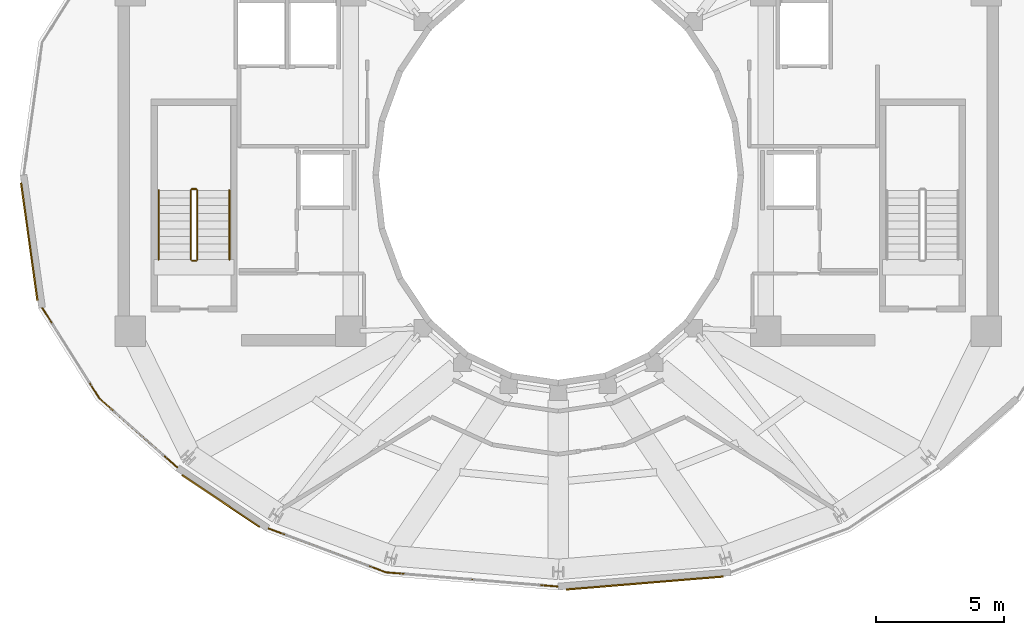
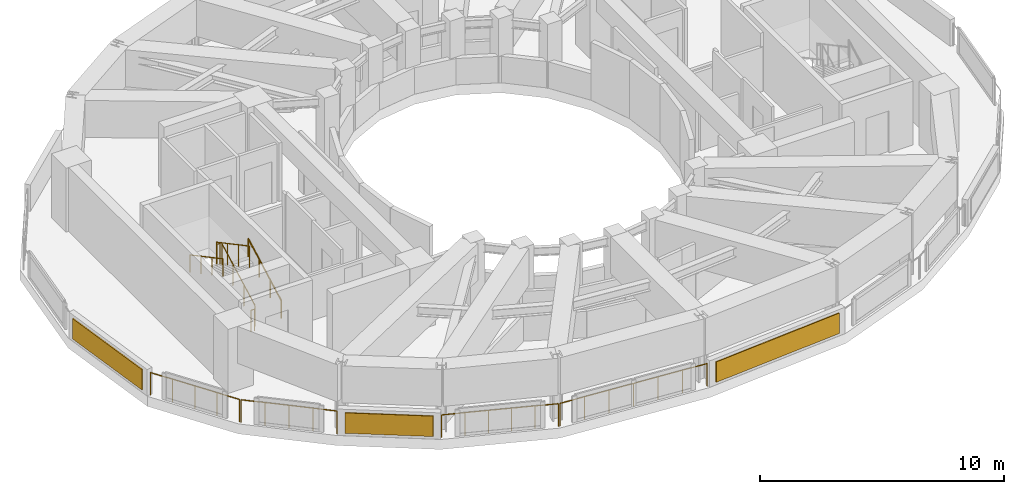
# One storey, part 19 of 21: 10 railings, 3 shading devices.
"""IFC4 building model written with IfcOpenShell, lengths in metres."""

import ifcopenshell
import ifcopenshell.guid

model = None  # the IFC model being written
_history = None  # IfcOwnerHistory: only IFC2X3 demands one
_inside = {}  # id of a spatial element -> (the spatial element, [elements in it])
_under = {}  # id of a project, library or spatial element -> (it, [spatial elements below it])
_declared = {}  # id of a project -> (the project, [libraries it declares])
_typed = {}  # id of a type object -> (the type object, [elements of that type])
_made_of = {}  # id of a material, layer set ... -> (it, [elements and type objects made of it])


def new_model(schema):
    """Start an empty IFC model of exactly this schema.

    Asked for "IFC4X3", IfcOpenShell would pick the latest addendum, in which some entities
    have other attributes; the version numbers below select the first issue.
    IFC2X3 requires an IfcOwnerHistory on every rooted entity: one is made here for all.
    """
    global model, _history
    if schema == "IFC4X3":
        model = ifcopenshell.file(schema_version=(4, 3, 0, 0))
    else:
        model = ifcopenshell.file(schema=schema)
    _inside.clear()
    _under.clear()
    _declared.clear()
    _typed.clear()
    _made_of.clear()
    _history = None
    if model.schema == "IFC2X3":
        org = make("IfcOrganization", Name="unknown")
        user = make(
            "IfcPersonAndOrganization",
            ThePerson=make("IfcPerson", FamilyName="unknown"),
            TheOrganization=org,
        )
        app = make(
            "IfcApplication",
            ApplicationDeveloper=org,
            Version="unknown",
            ApplicationFullName="unknown",
            ApplicationIdentifier="unknown",
        )
        _history = make(
            "IfcOwnerHistory",
            OwningUser=user,
            OwningApplication=app,
            ChangeAction="ADDED",
            CreationDate=0,
        )
    return model


def make(cls, **values):
    """One entity of the class cls with the attributes given. An attribute that is None is left unset."""
    return model.create_entity(
        cls, **{name: value for name, value in values.items() if value is not None}
    )


def rooted(cls, **values):
    """An entity with a GlobalId (a new one), such as an element, a storey or a relation."""
    return make(cls, GlobalId=ifcopenshell.guid.new(), OwnerHistory=_history, **values)


def si_unit(unit_type, name, prefix=None):
    """IfcSIUnit, for example si_unit("LENGTHUNIT", "METRE", prefix="MILLI")."""
    return make("IfcSIUnit", UnitType=unit_type, Prefix=prefix, Name=name)


def assignment(units):
    """IfcUnitAssignment: the units of a project."""
    return None if units is None else make("IfcUnitAssignment", Units=units)


def point(xyz):
    """IfcCartesianPoint."""
    return None if xyz is None else make("IfcCartesianPoint", Coordinates=xyz)


def direction(xyz):
    """IfcDirection."""
    return None if xyz is None else make("IfcDirection", DirectionRatios=xyz)


def frame(location, z_axis=None, x_axis=None):
    """IfcAxis2Placement3D, a coordinate frame: its origin and axes. An axis left out is left unset."""
    return make(
        "IfcAxis2Placement3D",
        Location=point(location),
        Axis=direction(z_axis),
        RefDirection=direction(x_axis),
    )


def frame_2d(location, x_axis=None):
    """IfcAxis2Placement2D, a coordinate frame in the plane: its origin and x axis."""
    return make(
        "IfcAxis2Placement2D", Location=point(location), RefDirection=direction(x_axis)
    )


def origin():
    """The frame at (0, 0, 0) with its axes left unset."""
    return frame((0.0, 0.0, 0.0))


def origin_2d():
    """The frame at (0, 0) in the plane with its x axis left unset."""
    return frame_2d((0.0, 0.0))


def place(relative_to, where):
    """IfcLocalPlacement: puts the frame where relative to a parent placement (None: the world)."""
    return make(
        "IfcLocalPlacement", PlacementRelTo=relative_to, RelativePlacement=where
    )


def context(
    kind, dimensions, precision=None, world=None, true_north=None, identifier=None
):
    """IfcGeometricRepresentationContext, for example the 3D "Model" context."""
    return make(
        "IfcGeometricRepresentationContext",
        ContextIdentifier=identifier,
        ContextType=kind,
        CoordinateSpaceDimension=dimensions,
        Precision=precision,
        WorldCoordinateSystem=world,
        TrueNorth=true_north,
    )


def subcontext(parent, identifier, kind, view, scale=None):
    """IfcGeometricRepresentationSubContext, for example "Body" below "Model"."""
    return make(
        "IfcGeometricRepresentationSubContext",
        ContextIdentifier=identifier,
        ContextType=kind,
        ParentContext=parent,
        TargetScale=scale,
        TargetView=view,
    )


def project(units=None, contexts=None):
    """IfcProject with its units and contexts."""
    return rooted(
        "IfcProject",
        Name="project",
        RepresentationContexts=contexts,
        UnitsInContext=assignment(units),
    )


def spatial(cls, under=None, at=None, **own):
    """A site, building, storey or space (cls), placed at a placement, below another one or the project."""
    s = rooted(cls, ObjectPlacement=at, **own)
    if under is not None:
        _under.setdefault(under.id(), (under, []))[1].append(s)
    return s


def profile(cls, at=None, kind="AREA", **sizes):
    """A parametric profile (cls). Its sizes go by their IFC names, for example OverallWidth=200.0."""
    return make(cls, ProfileType=kind, Position=at, **sizes)


def rectangle(**sizes):
    """IfcRectangleProfileDef."""
    return profile("IfcRectangleProfileDef", **sizes)


def circle(**sizes):
    """IfcCircleProfileDef."""
    return profile("IfcCircleProfileDef", **sizes)


def extrude(swept, where, along, depth):
    """IfcExtrudedAreaSolid: the profile swept, set in the frame where, extruded along a direction by depth."""
    return make(
        "IfcExtrudedAreaSolid",
        SweptArea=swept,
        Position=where,
        ExtrudedDirection=direction(along),
        Depth=depth,
    )


def shape(context_of_items, identifier, shape_type, items):
    """IfcShapeRepresentation: the items that make up one representation, for example the "Body"."""
    return make(
        "IfcShapeRepresentation",
        ContextOfItems=context_of_items,
        RepresentationIdentifier=identifier,
        RepresentationType=shape_type,
        Items=items,
    )


def material(Name=None, Category=None):
    """IfcMaterial."""
    return make("IfcMaterial", Name=Name, Category=Category)


def layer(
    of_material, thickness, ventilated=None, Name=None, Category=None, Priority=None
):
    """IfcMaterialLayer: one layer of a wall or slab, of a material (None: an air gap)."""
    return make(
        "IfcMaterialLayer",
        Material=of_material,
        LayerThickness=thickness,
        IsVentilated=ventilated,
        Name=Name,
        Category=Category,
        Priority=Priority,
    )


def layer_set(layers, Name=None):
    """IfcMaterialLayerSet."""
    return make("IfcMaterialLayerSet", MaterialLayers=layers, LayerSetName=Name)


def made_of(thing, what):
    """Note that an element or type object is made of a material, layer set ...; save() writes the relation."""
    if what is not None:
        _made_of.setdefault(what.id(), (what, []))[1].append(thing)
    return thing


def type_object(cls, material=None, **own):
    """A type object (cls), such as IfcWallType, which elements share."""
    return made_of(rooted(cls, **own), material)


def element(
    cls,
    number,
    at=None,
    inside=None,
    cuts=None,
    type_object=None,
    material=None,
    context=None,
    identifier="Body",
    shape_type=None,
    held_by="IfcProductDefinitionShape",
    body=None,
    shapes=None,
    **own,
):
    """One element of the class cls, such as IfcWall. Its Tag is "e" and its number.

    at: its placement. inside: the storey or other place that contains it. cuts: it is an
    opening in that element (IfcRelVoidsElement). A single representation is given by context,
    identifier, shape_type and body (its items); several are given by shapes. held_by: the class
    of the entity that holds the representations. save() writes the other relations.
    """
    e = rooted(cls, Tag="e%d" % number, ObjectPlacement=at, **own)
    if body is not None:
        shapes = [shape(context, identifier, shape_type, body)]
    if shapes is not None:
        e.Representation = make(held_by, Representations=shapes)
    if inside is not None:
        _inside.setdefault(inside.id(), (inside, []))[1].append(e)
    if cuts is not None:
        rooted(
            "IfcRelVoidsElement", RelatingBuildingElement=cuts, RelatedOpeningElement=e
        )
    if type_object is not None:
        _typed.setdefault(type_object.id(), (type_object, []))[1].append(e)
    return made_of(e, material)


def aggregate(whole, parts):
    """IfcRelAggregates: a whole, such as a stair, and the parts it consists of."""
    return rooted("IfcRelAggregates", RelatingObject=whole, RelatedObjects=parts)


def save(model, path):
    """Write the relations noted so far, then the file.

    IfcRelAggregates (storeys below a building ...), IfcRelContainedInSpatialStructure (elements
    in a storey), IfcRelDefinesByType, IfcRelAssociatesMaterial and IfcRelDeclares: one each for
    every whole, place, type object, material and project.
    """
    for whole, parts in _under.values():
        aggregate(whole, parts)
    for where, things in _inside.values():
        rooted(
            "IfcRelContainedInSpatialStructure",
            RelatedElements=things,
            RelatingStructure=where,
        )
    for kind, things in _typed.values():
        rooted("IfcRelDefinesByType", RelatedObjects=things, RelatingType=kind)
    for what, things in _made_of.values():
        rooted("IfcRelAssociatesMaterial", RelatedObjects=things, RelatingMaterial=what)
    for by, libraries in _declared.values():
        rooted("IfcRelDeclares", RelatingContext=by, RelatedDefinitions=libraries)
    model.write(path)


model = new_model("IFC4")

# Units and contexts
model_context = context("Model", 3, precision=1e-05, world=origin(), true_north=direction((0.0, 1.0)))
body_context = subcontext(model_context, "Body", "Model", "MODEL_VIEW")
ifc_project = project(units=[si_unit("LENGTHUNIT", "METRE"), si_unit("AREAUNIT", "SQUARE_METRE"), si_unit("VOLUMEUNIT", "CUBIC_METRE"), si_unit("PLANEANGLEUNIT", "RADIAN"), si_unit("MASSUNIT", "GRAM", prefix="KILO")], contexts=[model_context])

# Site, building, storey
site_placement = place(None, origin())
site = spatial("IfcSite", under=ifc_project, at=site_placement, CompositionType="ELEMENT")
building_placement = place(site_placement, origin())
building = spatial("IfcBuilding", under=site, at=building_placement, Name="Solvane Sanctuary Tower", CompositionType="ELEMENT")
storey_placement = place(building_placement, frame((0.0, 0.0, 260.39990234375)))
storey = spatial("IfcBuildingStorey", under=building, at=storey_placement, Name="L79", CompositionType="ELEMENT", Elevation=260.39990234375)

# Railings
ifc_material_1 = material(Name="Architectural Stainless Steel 316", Category="steel")
railing_type_1 = type_object("IfcRailingType", Name="Railing GR-BALC-1150", PredefinedType="BALUSTRADE", material=ifc_material_1)
railing_1_placement = place(storey_placement, frame((11.876708984375, 17.80029296875, 0.0)))
element("IfcRailing", 1, at=railing_1_placement, inside=storey, type_object=railing_type_1, Name="L79 Crown Curtain-Wall Sill Guard 13", PredefinedType="BALUSTRADE", context=body_context, shape_type="SweptSolid", body=[
    extrude(circle(Radius=0.02392578125, at=origin_2d()), frame((0.0, 0.0, 1.1259765625), z_axis=(0.533446115447, -0.845834051049, 0.0), x_axis=(0.845834051049, 0.533446115447, 0.0)), (0.0, 0.0, 1.0), 4.1328125),
    extrude(circle(Radius=0.02099609375, at=origin_2d()), origin(), (0.0, 0.0, 1.0), 1.101806640625),
    extrude(circle(Radius=0.02099609375, at=origin_2d()), frame((0.55126953125, -0.8740234375, 0.0)), (0.0, 0.0, 1.0), 1.101806640625),
    extrude(circle(Radius=0.02099609375, at=origin_2d()), frame((1.102294921875, -1.747802734375, 0.0)), (0.0, 0.0, 1.0), 1.101806640625),
    extrude(circle(Radius=0.02099609375, at=origin_2d()), frame((1.6533203125, -2.62158203125, 0.0)), (0.0, 0.0, 1.0), 1.101806640625),
    extrude(circle(Radius=0.02099609375, at=origin_2d()), frame((2.20458984375, -3.49560546875, 0.0)), (0.0, 0.0, 1.0), 1.101806640625),
])
railing_2_placement = place(storey_placement, frame((14.119873046875, 14.259521484375, 0.0)))
element("IfcRailing", 2, at=railing_2_placement, inside=storey, type_object=railing_type_1, Name="L79 Crown Curtain-Wall Sill Guard 14", PredefinedType="BALUSTRADE", context=body_context, shape_type="SweptSolid", body=[
    extrude(circle(Radius=0.02392578125, at=origin_2d()), frame((0.0, 0.0, 1.1259765625), z_axis=(0.748352414239, -0.663301337329, 0.0), x_axis=(0.663301337329, 0.748352414239, 0.0)), (0.0, 0.0, 1.0), 4.0244140625),
    extrude(circle(Radius=0.02099609375, at=origin_2d()), origin(), (0.0, 0.0, 1.0), 1.101806640625),
    extrude(circle(Radius=0.02099609375, at=origin_2d()), frame((0.7529296875, -0.66748046875, 0.0)), (0.0, 0.0, 1.0), 1.101806640625),
    extrude(circle(Radius=0.02099609375, at=origin_2d()), frame((1.505859375, -1.334716796875, 0.0)), (0.0, 0.0, 1.0), 1.101806640625),
    extrude(circle(Radius=0.02099609375, at=origin_2d()), frame((2.2587890625, -2.001953125, 0.0)), (0.0, 0.0, 1.0), 1.101806640625),
    extrude(circle(Radius=0.02099609375, at=origin_2d()), frame((3.01171875, -2.66943359375, 0.0)), (0.0, 0.0, 1.0), 1.101806640625),
])
railing_3_placement = place(storey_placement, frame((20.700927734375, 9.206298828125, 0.0)))
element("IfcRailing", 3, at=railing_3_placement, inside=storey, type_object=railing_type_1, Name="L79 Crown Curtain-Wall Sill Guard 16", PredefinedType="BALUSTRADE", context=body_context, shape_type="SweptSolid", body=[
    extrude(circle(Radius=0.02392578125, at=origin_2d()), frame((0.0, 0.0, 1.1259765625), z_axis=(0.936696300219, -0.35014288677, 0.0), x_axis=(0.35014288677, 0.936696300219, 0.0)), (0.0, 0.0, 1.0), 4.85791015625),
    extrude(circle(Radius=0.02099609375, at=origin_2d()), origin(), (0.0, 0.0, 1.0), 1.101806640625),
    extrude(circle(Radius=0.02099609375, at=origin_2d()), frame((0.91015625, -0.340087890625, 0.0)), (0.0, 0.0, 1.0), 1.101806640625),
    extrude(circle(Radius=0.02099609375, at=origin_2d()), frame((1.820068359375, -0.680419921875, 0.0)), (0.0, 0.0, 1.0), 1.101806640625),
    extrude(circle(Radius=0.02099609375, at=origin_2d()), frame((2.730224609375, -1.0205078125, 0.0)), (0.0, 0.0, 1.0), 1.101806640625),
    extrude(circle(Radius=0.02099609375, at=origin_2d()), frame((3.64013671875, -1.36083984375, 0.0)), (0.0, 0.0, 1.0), 1.101806640625),
    extrude(circle(Radius=0.02099609375, at=origin_2d()), frame((4.55029296875, -1.700927734375, 0.0)), (0.0, 0.0, 1.0), 1.101806640625),
])
railing_4_placement = place(storey_placement, frame((25.30908203125, 7.492431640625, 0.0)))
element("IfcRailing", 4, at=railing_4_placement, inside=storey, type_object=railing_type_1, Name="L79 Crown Curtain-Wall Sill Guard 17", PredefinedType="BALUSTRADE", context=body_context, shape_type="SweptSolid", body=[
    extrude(circle(Radius=0.02392578125, at=origin_2d()), frame((0.0, 0.0, 1.1259765625), z_axis=(0.996607950351, -0.082295767195, 0.0), x_axis=(0.082295767195, 0.996607950351, 0.0)), (0.0, 0.0, 1.0), 6.683837890625),
    extrude(circle(Radius=0.02099609375, at=origin_2d()), origin(), (0.0, 0.0, 1.0), 1.101806640625),
    extrude(circle(Radius=0.02099609375, at=origin_2d()), frame((1.110107421875, -0.091796875, 0.0)), (0.0, 0.0, 1.0), 1.101806640625),
    extrude(circle(Radius=0.02099609375, at=origin_2d()), frame((2.220458984375, -0.183349609375, 0.0)), (0.0, 0.0, 1.0), 1.101806640625),
    extrude(circle(Radius=0.02099609375, at=origin_2d()), frame((3.33056640625, -0.27490234375, 0.0)), (0.0, 0.0, 1.0), 1.101806640625),
    extrude(circle(Radius=0.02099609375, at=origin_2d()), frame((4.440673828125, -0.36669921875, 0.0)), (0.0, 0.0, 1.0), 1.101806640625),
    extrude(circle(Radius=0.02099609375, at=origin_2d()), frame((5.551025390625, -0.45849609375, 0.0)), (0.0, 0.0, 1.0), 1.101806640625),
    extrude(circle(Radius=0.02099609375, at=origin_2d()), frame((6.6611328125, -0.550048828125, 0.0)), (0.0, 0.0, 1.0), 1.101806640625),
])
railing_5_placement = place(storey_placement, frame((17.919921875, 19.699951171875, 0.16015625)))
element("IfcRailing", 5, at=railing_5_placement, inside=storey, type_object=railing_type_1, Name="L79 ST-1 stair guard 1", PredefinedType="BALUSTRADE", context=body_context, shape_type="SweptSolid", body=[
    extrude(circle(Radius=0.02392578125, at=origin_2d()), frame((0.0, 0.0, 1.076171875), z_axis=(0.0, 0.882357358376, 0.470579952952), x_axis=(-1.0, 0.0, 0.0)), (0.0, 0.0, 1.0), 3.059814453125),
    extrude(circle(Radius=0.02099609375, at=origin_2d()), origin(), (0.0, 0.0, 1.0), 1.052001953125),
    extrude(circle(Radius=0.02099609375, at=origin_2d()), frame((0.0, 0.89990234375, 0.47998046875)), (0.0, 0.0, 1.0), 1.052001953125),
    extrude(circle(Radius=0.02099609375, at=origin_2d()), frame((0.0, 1.800048828125, 0.9599609375)), (0.0, 0.0, 1.0), 1.052001953125),
    extrude(circle(Radius=0.02099609375, at=origin_2d()), frame((0.0, 2.699951171875, 1.43994140625)), (0.0, 0.0, 1.0), 1.052001953125),
])
railing_6_placement = place(storey_placement, frame((17.8701171875, 22.449951171875, 1.60009765625)))
element("IfcRailing", 6, at=railing_6_placement, inside=storey, type_object=railing_type_1, Name="L79 ST-1 stair guard 2", PredefinedType="BALUSTRADE", context=body_context, shape_type="SweptSolid", body=[
    extrude(circle(Radius=0.02392578125, at=origin_2d()), frame((0.0, 0.0, 1.076171875), z_axis=(-1.0, 0.0, 0.0), x_axis=(0.0, -1.0, 0.0)), (0.0, 0.0, 1.0), 0.16015625),
    extrude(circle(Radius=0.02099609375, at=origin_2d()), origin(), (0.0, 0.0, 1.0), 1.052001953125),
    extrude(circle(Radius=0.02099609375, at=origin_2d()), frame((-0.16015625, 0.0, 0.0)), (0.0, 0.0, 1.0), 1.052001953125),
])
railing_7_placement = place(storey_placement, frame((17.659912109375, 22.39990234375, 1.760009765625)))
element("IfcRailing", 7, at=railing_7_placement, inside=storey, type_object=railing_type_1, Name="L79 ST-1 stair guard 3", PredefinedType="BALUSTRADE", context=body_context, shape_type="SweptSolid", body=[
    extrude(circle(Radius=0.02392578125, at=origin_2d()), frame((0.0, 0.0, 1.076171875), z_axis=(0.0, -0.882324228566, 0.470642067484), x_axis=(1.0, 0.0, 0.0)), (0.0, 0.0, 1.0), 3.06005859375),
    extrude(circle(Radius=0.02099609375, at=origin_2d()), origin(), (0.0, 0.0, 1.0), 1.052001953125),
    extrude(circle(Radius=0.02099609375, at=origin_2d()), frame((0.0, -0.89990234375, 0.47998046875)), (0.0, 0.0, 1.0), 1.052001953125),
    extrude(circle(Radius=0.02099609375, at=origin_2d()), frame((0.0, -1.800048828125, 0.960205078125)), (0.0, 0.0, 1.0), 1.052001953125),
    extrude(circle(Radius=0.02099609375, at=origin_2d()), frame((0.0, -2.699951171875, 1.440185546875)), (0.0, 0.0, 1.0), 1.052001953125),
])
railing_8_placement = place(storey_placement, frame((17.8701171875, 19.64990234375, 0.0)))
element("IfcRailing", 8, at=railing_8_placement, inside=storey, type_object=railing_type_1, Name="L79 ST-1 stair guard 4", PredefinedType="BALUSTRADE", context=body_context, shape_type="SweptSolid", body=[
    extrude(circle(Radius=0.02392578125, at=origin_2d()), frame((0.0, 0.0, 1.076171875), z_axis=(-1.0, 0.0, 0.0), x_axis=(0.0, -1.0, 0.0)), (0.0, 0.0, 1.0), 0.16015625),
    extrude(circle(Radius=0.02099609375, at=origin_2d()), origin(), (0.0, 0.0, 1.0), 1.052001953125),
    extrude(circle(Radius=0.02099609375, at=origin_2d()), frame((-0.16015625, 0.0, 0.0)), (0.0, 0.0, 1.0), 1.052001953125),
])
railing_type_2 = type_object("IfcRailingType", Name="Railing HR-STAIR-920", PredefinedType="HANDRAIL", material=ifc_material_1)
railing_9_placement = place(storey_placement, frame((19.169921875, 19.699951171875, 0.16015625)))
element("IfcRailing", 9, at=railing_9_placement, inside=storey, type_object=railing_type_2, Name="L79 ST-1 stair handrail 1", PredefinedType="HANDRAIL", context=body_context, shape_type="SweptSolid", body=[
    extrude(circle(Radius=0.02392578125, at=origin_2d()), frame((0.0, 0.0, 0.8759765625), z_axis=(0.0, 0.882357358376, 0.470579952952), x_axis=(-1.0, 0.0, 0.0)), (0.0, 0.0, 1.0), 3.059814453125),
    extrude(circle(Radius=0.02099609375, at=origin_2d()), origin(), (0.0, 0.0, 1.0), 0.851806640625),
    extrude(circle(Radius=0.02099609375, at=origin_2d()), frame((0.0, 0.89990234375, 0.47998046875)), (0.0, 0.0, 1.0), 0.851806640625),
    extrude(circle(Radius=0.02099609375, at=origin_2d()), frame((0.0, 1.800048828125, 0.9599609375)), (0.0, 0.0, 1.0), 0.851806640625),
    extrude(circle(Radius=0.02099609375, at=origin_2d()), frame((0.0, 2.699951171875, 1.43994140625)), (0.0, 0.0, 1.0), 0.851806640625),
])
railing_10_placement = place(storey_placement, frame((16.409912109375, 22.39990234375, 1.760009765625)))
element("IfcRailing", 10, at=railing_10_placement, inside=storey, type_object=railing_type_2, Name="L79 ST-1 stair handrail 2", PredefinedType="HANDRAIL", context=body_context, shape_type="SweptSolid", body=[
    extrude(circle(Radius=0.02392578125, at=origin_2d()), frame((0.0, 0.0, 0.8759765625), z_axis=(0.0, -0.882324228566, 0.470642067484), x_axis=(1.0, 0.0, 0.0)), (0.0, 0.0, 1.0), 3.06005859375),
    extrude(circle(Radius=0.02099609375, at=origin_2d()), origin(), (0.0, 0.0, 1.0), 0.851806640625),
    extrude(circle(Radius=0.02099609375, at=origin_2d()), frame((0.0, -0.89990234375, 0.47998046875)), (0.0, 0.0, 1.0), 0.851806640625),
    extrude(circle(Radius=0.02099609375, at=origin_2d()), frame((0.0, -1.800048828125, 0.960205078125)), (0.0, 0.0, 1.0), 0.851806640625),
    extrude(circle(Radius=0.02099609375, at=origin_2d()), frame((0.0, -2.699951171875, 1.440185546875)), (0.0, 0.0, 1.0), 0.851806640625),
])

# Shading devices
ifc_material_2 = material(Name="Anodised Aluminium 6063-T6", Category="aluminium")
ifc_layer = layer(ifc_material_2, 0.06005859375, Name="Anodised Aluminium 6063-T6")
ifc_layer_set = layer_set([ifc_layer], Name="Anodised Aluminium 6063-T6")
shading_device_type = type_object("IfcShadingDeviceType", Name="Shading SHD-LOUVRE", PredefinedType="JALOUSIE", material=ifc_layer_set)
shading_device_1_placement = place(storey_placement, frame((11.36181640625, 20.3935546875, 0.150146484375), z_axis=(0.0, 0.0, 1.0), x_axis=(0.137952784872, -0.990438806361, 0.0)))
element("IfcShadingDevice", 11, at=shading_device_1_placement, inside=storey, type_object=shading_device_type, Name="L79 Crown Storm Louvre Panel 12", PredefinedType="JALOUSIE", context=body_context, shape_type="SweptSolid", body=[
    extrude(rectangle(XDim=4.624267578125, YDim=0.06005859375, at=origin_2d()), origin(), (0.0, 0.0, 1.0), 1.02001953125),
])
shading_device_2_placement = place(storey_placement, frame((18.835693359375, 10.277099609375, 0.150146484375), z_axis=(0.0, 0.0, 1.0), x_axis=(0.831257197567, -0.555888002652, 0.0)))
element("IfcShadingDevice", 12, at=shading_device_2_placement, inside=storey, type_object=shading_device_type, Name="L79 Crown Storm Louvre Panel 15", PredefinedType="JALOUSIE", context=body_context, shape_type="SweptSolid", body=[
    extrude(rectangle(XDim=3.63330078125, YDim=0.06005859375, at=origin_2d()), origin(), (0.0, 0.0, 1.0), 1.02001953125),
])
shading_device_3_placement = place(storey_placement, frame((35.371826171875, 7.077880859375, 0.150146484375), z_axis=(0.0, 0.0, 1.0), x_axis=(0.99660886778, 0.082284656297, 0.0)))
element("IfcShadingDevice", 13, at=shading_device_3_placement, inside=storey, type_object=shading_device_type, Name="L79 Crown Storm Louvre Panel 18", PredefinedType="JALOUSIE", context=body_context, shape_type="SweptSolid", body=[
    extrude(rectangle(XDim=6.143798828125, YDim=0.06005859375, at=origin_2d()), origin(), (0.0, 0.0, 1.0), 1.02001953125),
])

save(model, "model.ifc")
